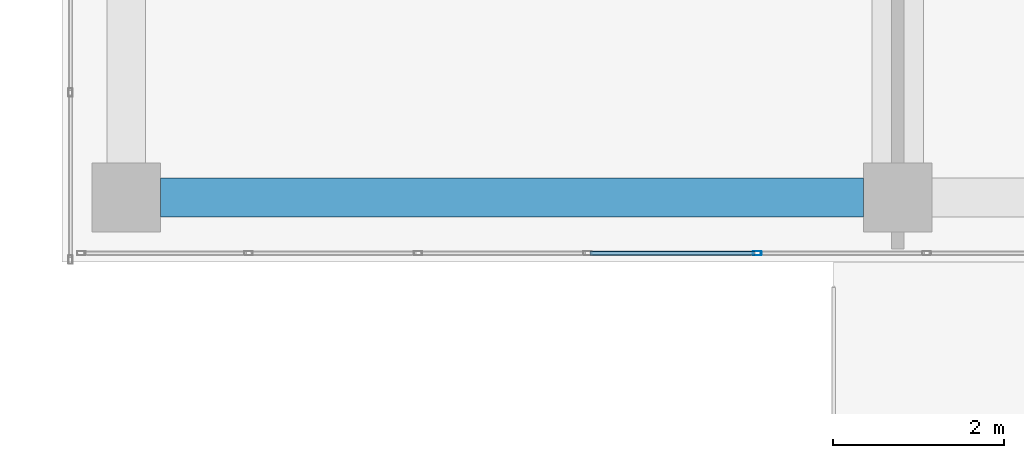
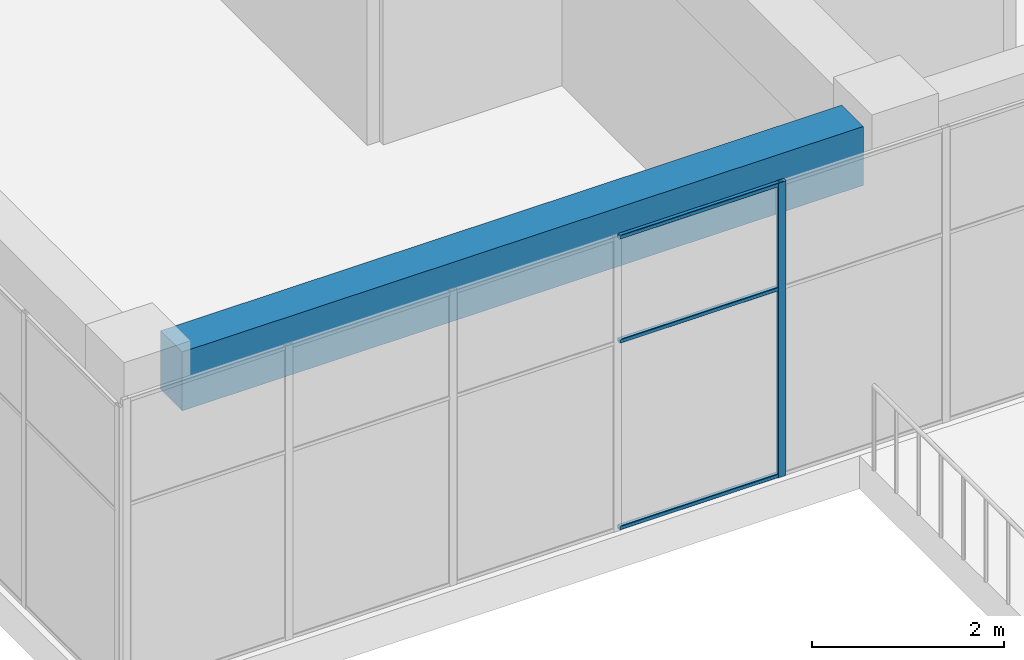
# One storey, part 33 of 81: 4 members, 1 beam, 1 element without a shape of its own.
"""IFC4 building model written with IfcOpenShell, lengths in metres."""

from ifc_helpers import new_model, si_unit, direction, frame, origin, origin_2d, place, context, subcontext, project, spatial, rectangle, hollow_rectangle, extrude, material, layer, layer_set, material_profile, profile_set, type_object, element, aggregate, save


model = new_model("IFC4")

# Units and contexts
model_context = context("Model", 3, precision=1e-05, world=origin(), true_north=direction((0.0, 1.0)))
body_context = subcontext(model_context, "Body", "Model", "MODEL_VIEW")
ifc_project = project(units=[si_unit("LENGTHUNIT", "METRE"), si_unit("AREAUNIT", "SQUARE_METRE"), si_unit("VOLUMEUNIT", "CUBIC_METRE"), si_unit("PLANEANGLEUNIT", "RADIAN"), si_unit("MASSUNIT", "GRAM", prefix="KILO")], contexts=[model_context])

# Site, building, storey
site_placement = place(None, origin())
site = spatial("IfcSite", under=ifc_project, at=site_placement, CompositionType="ELEMENT")
building_placement = place(site_placement, origin())
building = spatial("IfcBuilding", under=site, at=building_placement, Name="Tuart Plaza Theatre", CompositionType="ELEMENT")
storey_placement = place(building_placement, frame((0.0, 0.0, 17.5)))
storey = spatial("IfcBuildingStorey", under=building, at=storey_placement, Name="L04", CompositionType="ELEMENT", Elevation=17.5)

# Beam
ifc_material_1 = material(Name="Concrete N40 (40 MPa)", Category="concrete")
ifc_material_profile_1 = material_profile(ifc_material_1, rectangle(XDim=0.449951171875, YDim=0.75, at=origin_2d()), Name="BEAM 450x750 Concrete N40 (40 MPa)")
ifc_profile_set_1 = profile_set([ifc_material_profile_1], Name="Concrete N40 (40 MPa)")
beam_type = type_object("IfcBeamType", Name="BEAM 450x750 Concrete N40 (40 MPa)", PredefinedType="BEAM", material=ifc_profile_set_1)
beam_placement = place(storey_placement, frame((114.39990234375, 56.0, 3.375), z_axis=(1.0, 0.0, 0.0), x_axis=(0.0, 1.0, 0.0)))
element("IfcBeam", 1, at=beam_placement, inside=storey, type_object=beam_type, Name="RB208", PredefinedType="BEAM", context=body_context, shape_type="SweptSolid", body=[
    extrude(rectangle(XDim=0.449951171875, YDim=0.75, at=origin_2d()), origin(), (0.0, 0.0, 1.0), 8.2001953125),
])

# Curtain wall, members
ifc_material_2 = material(Name="Aluminium and glass", Category="aluminium")
ifc_layer = layer(ifc_material_2, 0.10009765625)
ifc_layer_set = layer_set([ifc_layer], Name="CURTAIN WALL 2000 module")
curtain_wall_type = type_object("IfcCurtainWallType", Name="CURTAIN WALL 2000 module", PredefinedType="NOTDEFINED", material=ifc_layer_set)
curtain_wall_placement = place(storey_placement, origin())
curtain_wall = element("IfcCurtainWall", 2, at=curtain_wall_placement, inside=storey, type_object=curtain_wall_type, Name="CW87", PredefinedType="NOTDEFINED")
ifc_material_3 = material(Name="Aluminium 6063-T5", Category="aluminium")
ifc_material_profile_2 = material_profile(ifc_material_3, hollow_rectangle(XDim=0.050048828125, YDim=0.10009765625, WallThickness=0.00390625, InnerFilletRadius=0.00390625, OuterFilletRadius=0.008056640625, at=origin_2d()), Name="RHS 100x50x4")
ifc_profile_set_2 = profile_set([ifc_material_profile_2], Name="Aluminium 6063-T5")
member_type_1 = type_object("IfcMemberType", Name="MULLION RHS 100x50x4", PredefinedType="MULLION", material=ifc_profile_set_2)
member_1_placement = place(storey_placement, frame((121.361083984375, 55.35009765625, 0.0), z_axis=(0.0, 0.0, 1.0), x_axis=(0.0, 1.0, 0.0)))
member_1 = element("IfcMember", 3, at=member_1_placement, type_object=member_type_1, Name="CW87 mullion 5", PredefinedType="MULLION", context=body_context, shape_type="SweptSolid", body=[
    extrude(hollow_rectangle(XDim=0.050048828125, YDim=0.10009765625, WallThickness=0.00390625, InnerFilletRadius=0.00390625, OuterFilletRadius=0.008056640625, at=origin_2d()), origin(), (0.0, 0.0, 1.0), 3.75),
])
ifc_material_4 = material(Name="Aluminium 6063-T5", Category="aluminium")
ifc_material_profile_3 = material_profile(ifc_material_4, hollow_rectangle(XDim=0.050048828125, YDim=0.050048828125, WallThickness=0.00390625, InnerFilletRadius=0.00390625, OuterFilletRadius=0.008056640625, at=origin_2d()), Name="RHS 50x50x4")
ifc_profile_set_3 = profile_set([ifc_material_profile_3], Name="Aluminium 6063-T5")
member_type_2 = type_object("IfcMemberType", Name="TRANSOM RHS 50x50x4", PredefinedType="USERDEFINED", material=ifc_profile_set_3)
member_2_placement = place(storey_placement, frame((119.408447265625, 55.35009765625, 0.02490234375), z_axis=(1.0, 0.0, 0.0), x_axis=(0.0, 1.0, 0.0)))
member_2 = element("IfcMember", 4, at=member_2_placement, type_object=member_type_2, Name="CW87 transom 4.1", ObjectType="TRANSOM", PredefinedType="USERDEFINED", context=body_context, shape_type="SweptSolid", body=[
    extrude(hollow_rectangle(XDim=0.050048828125, YDim=0.050048828125, WallThickness=0.00390625, InnerFilletRadius=0.00390625, OuterFilletRadius=0.008056640625, at=origin_2d()), origin(), (0.0, 0.0, 1.0), 1.927734375),
])
member_3_placement = place(storey_placement, frame((119.408447265625, 55.35009765625, 2.39990234375), z_axis=(1.0, 0.0, 0.0), x_axis=(0.0, 1.0, 0.0)))
member_3 = element("IfcMember", 5, at=member_3_placement, type_object=member_type_2, Name="CW87 transom 4.2", ObjectType="TRANSOM", PredefinedType="USERDEFINED", context=body_context, shape_type="SweptSolid", body=[
    extrude(hollow_rectangle(XDim=0.050048828125, YDim=0.050048828125, WallThickness=0.00390625, InnerFilletRadius=0.00390625, OuterFilletRadius=0.008056640625, at=origin_2d()), origin(), (0.0, 0.0, 1.0), 1.927734375),
])
member_4_placement = place(storey_placement, frame((119.408447265625, 55.35009765625, 3.72509765625), z_axis=(1.0, 0.0, 0.0), x_axis=(0.0, 1.0, 0.0)))
member_4 = element("IfcMember", 6, at=member_4_placement, type_object=member_type_2, Name="CW87 transom 4.3", ObjectType="TRANSOM", PredefinedType="USERDEFINED", context=body_context, shape_type="SweptSolid", body=[
    extrude(hollow_rectangle(XDim=0.050048828125, YDim=0.050048828125, WallThickness=0.00390625, InnerFilletRadius=0.00390625, OuterFilletRadius=0.008056640625, at=origin_2d()), origin(), (0.0, 0.0, 1.0), 1.927734375),
])
aggregate(curtain_wall, [member_1, member_2, member_3, member_4])

save(model, "model.ifc")
